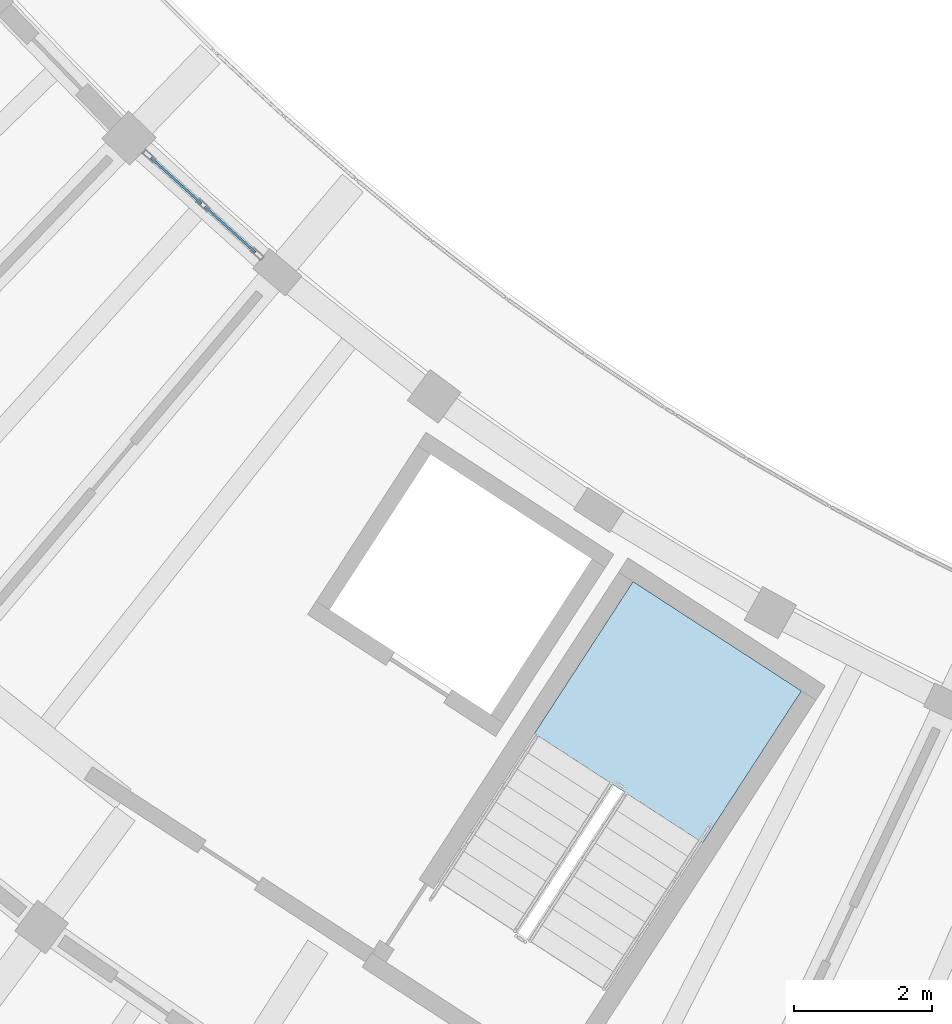
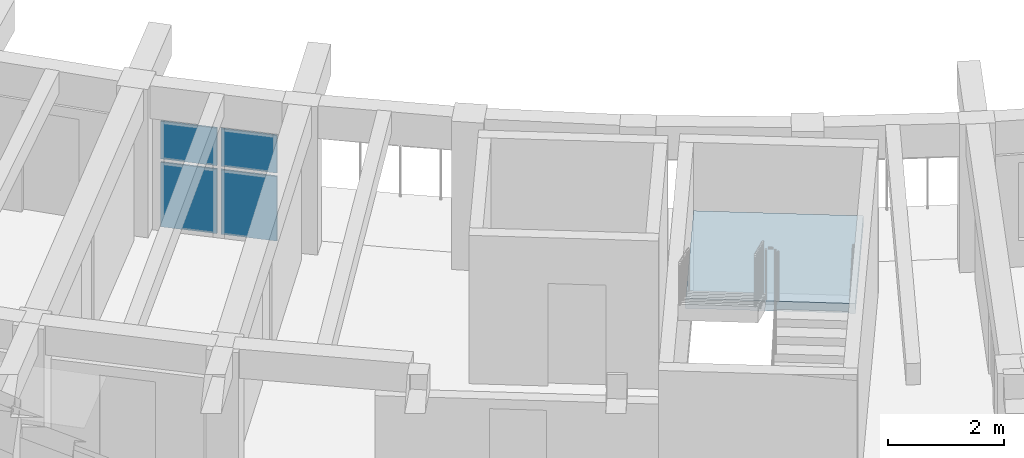
# One storey, part 30 of 78: 4 plates, 1 slab, 2 elements without a shape of their own.
"""IFC4 building model written with IfcOpenShell, lengths in metres."""

from ifc_helpers import new_model, si_unit, direction, frame, origin, origin_2d, place, context, subcontext, project, spatial, polyline, rectangle, outline, extrude, material, layer, layer_set, type_object, element, aggregate, save


model = new_model("IFC4")

# Units and contexts
model_context = context("Model", 3, precision=1e-05, world=origin(), true_north=direction((0.0, 1.0)))
body_context = subcontext(model_context, "Body", "Model", "MODEL_VIEW")
ifc_project = project(units=[si_unit("LENGTHUNIT", "METRE"), si_unit("AREAUNIT", "SQUARE_METRE"), si_unit("VOLUMEUNIT", "CUBIC_METRE"), si_unit("PLANEANGLEUNIT", "RADIAN"), si_unit("MASSUNIT", "GRAM", prefix="KILO")], contexts=[model_context])

# Site, building, storey
site_placement = place(None, origin())
site = spatial("IfcSite", under=ifc_project, at=site_placement, CompositionType="ELEMENT")
building_placement = place(site_placement, origin())
building = spatial("IfcBuilding", under=site, at=building_placement, Name="Tanwirah Colonnade Gardens", CompositionType="ELEMENT")
storey_placement = place(building_placement, frame((0.0, 0.0, 22.280029296875)))
storey = spatial("IfcBuildingStorey", under=building, at=storey_placement, Name="L06", CompositionType="ELEMENT", Elevation=22.280029296875)

# Curtain wall, plates
ifc_material_1 = material(Name="Bronze-anodised aluminium and solar-control low-E glass", Category="aluminium")
curtain_wall_type = type_object("IfcCurtainWallType", Name="CW-GDN", PredefinedType="NOTDEFINED", material=ifc_material_1)
curtain_wall_placement = place(storey_placement, origin())
curtain_wall = element("IfcCurtainWall", 1, at=curtain_wall_placement, inside=storey, type_object=curtain_wall_type, Name="Curtain Wall CW-C-L06-IN-08", PredefinedType="NOTDEFINED")
ifc_material_2 = material(Name="Acoustic solar-control low-E double glazing", Category="glass")
ifc_layer_1 = layer(ifc_material_2, 0.031982421875)
ifc_layer_set_1 = layer_set([ifc_layer_1], Name="Acoustic solar-control low-E double glazing")
plate_type = type_object("IfcPlateType", Name="CWP-GLZ32", PredefinedType="CURTAIN_PANEL", material=ifc_layer_set_1)
plate_1_placement = place(storey_placement, frame((34.808349609375, 31.905029296875, 0.070068359375), z_axis=(0.0, 0.0, 1.0), x_axis=(0.741682643058, -0.670750964954, 0.0)))
plate_1 = element("IfcPlate", 2, at=plate_1_placement, type_object=plate_type, Name="CW-GDN panel 1.1", PredefinedType="CURTAIN_PANEL", context=body_context, shape_type="SweptSolid", body=[
    extrude(rectangle(XDim=0.9892578125, YDim=0.031982421875, at=origin_2d()), origin(), (0.0, 0.0, 1.0), 1.35498046875),
])
plate_2_placement = place(storey_placement, frame((34.808349609375, 31.905029296875, 1.4951171875), z_axis=(0.0, 0.0, 1.0), x_axis=(0.741682643058, -0.670750964954, 0.0)))
plate_2 = element("IfcPlate", 3, at=plate_2_placement, type_object=plate_type, Name="CW-GDN panel 1.2", PredefinedType="CURTAIN_PANEL", context=body_context, shape_type="SweptSolid", body=[
    extrude(rectangle(XDim=0.9892578125, YDim=0.031982421875, at=origin_2d()), origin(), (0.0, 0.0, 1.0), 0.789794921875),
])
plate_3_placement = place(storey_placement, frame((35.593994140625, 31.194580078125, 0.070068359375), z_axis=(0.0, 0.0, 1.0), x_axis=(0.741682643058, -0.670750964954, 0.0)))
plate_3 = element("IfcPlate", 4, at=plate_3_placement, type_object=plate_type, Name="CW-GDN panel 2.1", PredefinedType="CURTAIN_PANEL", context=body_context, shape_type="SweptSolid", body=[
    extrude(rectangle(XDim=0.9892578125, YDim=0.031982421875, at=origin_2d()), origin(), (0.0, 0.0, 1.0), 1.35498046875),
])
plate_4_placement = place(storey_placement, frame((35.593994140625, 31.194580078125, 1.4951171875), z_axis=(0.0, 0.0, 1.0), x_axis=(0.741682643058, -0.670750964954, 0.0)))
plate_4 = element("IfcPlate", 5, at=plate_4_placement, type_object=plate_type, Name="CW-GDN panel 2.2", PredefinedType="CURTAIN_PANEL", context=body_context, shape_type="SweptSolid", body=[
    extrude(rectangle(XDim=0.9892578125, YDim=0.031982421875, at=origin_2d()), origin(), (0.0, 0.0, 1.0), 0.789794921875),
])
aggregate(curtain_wall, [plate_1, plate_2, plate_3, plate_4])

# Stair, slab
ifc_material_3 = material(Name="Precast concrete C40/50", Category="concrete")
stair_type = type_object("IfcStairType", Name="ST-RES168", PredefinedType="HALF_TURN_STAIR", material=ifc_material_3)
stair_placement = place(storey_placement, origin())
stair = element("IfcStair", 6, at=stair_placement, inside=storey, type_object=stair_type, Name="L06 Block C Core 2 Exit Stair", PredefinedType="HALF_TURN_STAIR")
ifc_layer_2 = layer(ifc_material_3, 0.205078125)
ifc_layer_set_2 = layer_set([ifc_layer_2], Name="Precast concrete C40/50")
slab_type = type_object("IfcSlabType", Name="SL-LND-205", PredefinedType="LANDING", material=ifc_layer_set_2)
slab_placement = place(storey_placement, frame((0.0, 0.0, 1.474853515625)))
slab = element("IfcSlab", 7, at=slab_placement, type_object=slab_type, Name="ST-C2 landing 1", PredefinedType="LANDING", context=body_context, shape_type="SweptSolid", body=[
    extrude(outline(polyline([(42.467529296875, 22.27490234375), (43.902587890625, 24.48486328125), (41.45361328125, 26.0751953125), (40.0185546875, 23.865234375), (42.467529296875, 22.27490234375)])), origin(), (0.0, 0.0, 1.0), 0.205078125),
])
aggregate(stair, [slab])

save(model, "model.ifc")
